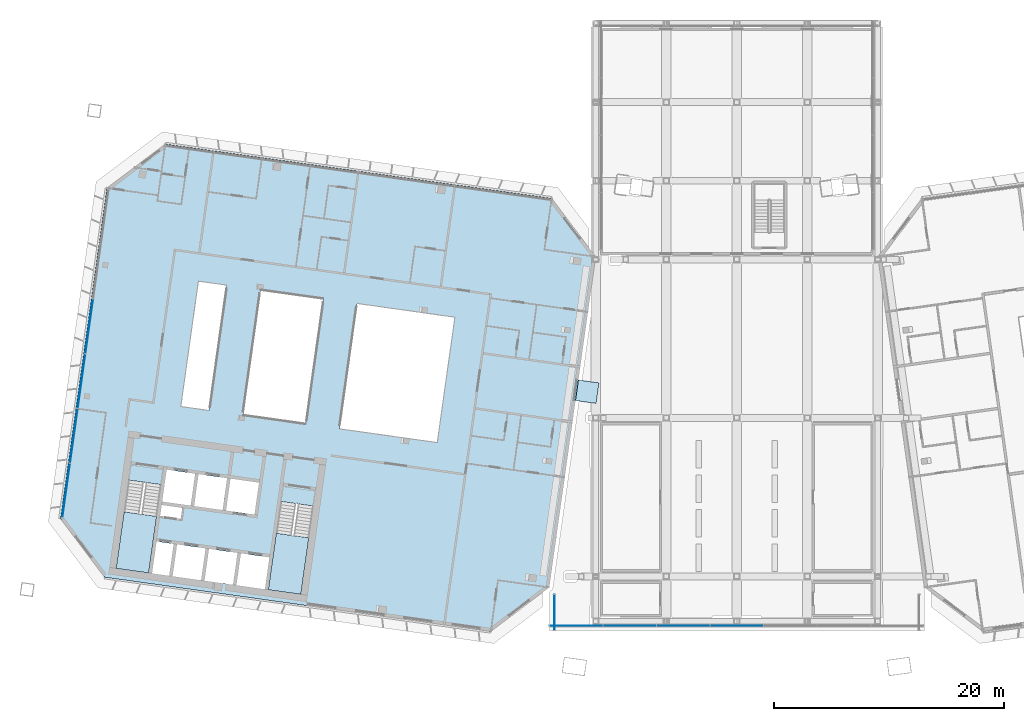
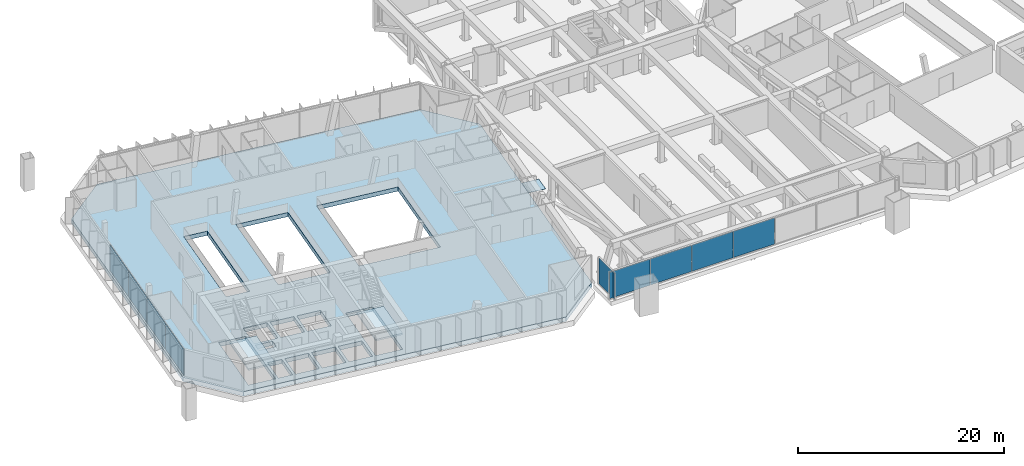
# One storey, part 13 of 25: 10 plates, 3 slabs, 5 elements without a shape of their own.
"""IFC4 building model written with IfcOpenShell, lengths in metres."""

import ifcopenshell
import ifcopenshell.guid

model = None  # the IFC model being written
_history = None  # IfcOwnerHistory: only IFC2X3 demands one
_inside = {}  # id of a spatial element -> (the spatial element, [elements in it])
_under = {}  # id of a project, library or spatial element -> (it, [spatial elements below it])
_declared = {}  # id of a project -> (the project, [libraries it declares])
_typed = {}  # id of a type object -> (the type object, [elements of that type])
_made_of = {}  # id of a material, layer set ... -> (it, [elements and type objects made of it])


def new_model(schema):
    """Start an empty IFC model of exactly this schema.

    Asked for "IFC4X3", IfcOpenShell would pick the latest addendum, in which some entities
    have other attributes; the version numbers below select the first issue.
    IFC2X3 requires an IfcOwnerHistory on every rooted entity: one is made here for all.
    """
    global model, _history
    if schema == "IFC4X3":
        model = ifcopenshell.file(schema_version=(4, 3, 0, 0))
    else:
        model = ifcopenshell.file(schema=schema)
    _inside.clear()
    _under.clear()
    _declared.clear()
    _typed.clear()
    _made_of.clear()
    _history = None
    if model.schema == "IFC2X3":
        org = make("IfcOrganization", Name="unknown")
        user = make(
            "IfcPersonAndOrganization",
            ThePerson=make("IfcPerson", FamilyName="unknown"),
            TheOrganization=org,
        )
        app = make(
            "IfcApplication",
            ApplicationDeveloper=org,
            Version="unknown",
            ApplicationFullName="unknown",
            ApplicationIdentifier="unknown",
        )
        _history = make(
            "IfcOwnerHistory",
            OwningUser=user,
            OwningApplication=app,
            ChangeAction="ADDED",
            CreationDate=0,
        )
    return model


def make(cls, **values):
    """One entity of the class cls with the attributes given. An attribute that is None is left unset."""
    return model.create_entity(
        cls, **{name: value for name, value in values.items() if value is not None}
    )


def rooted(cls, **values):
    """An entity with a GlobalId (a new one), such as an element, a storey or a relation."""
    return make(cls, GlobalId=ifcopenshell.guid.new(), OwnerHistory=_history, **values)


def si_unit(unit_type, name, prefix=None):
    """IfcSIUnit, for example si_unit("LENGTHUNIT", "METRE", prefix="MILLI")."""
    return make("IfcSIUnit", UnitType=unit_type, Prefix=prefix, Name=name)


def assignment(units):
    """IfcUnitAssignment: the units of a project."""
    return None if units is None else make("IfcUnitAssignment", Units=units)


def point(xyz):
    """IfcCartesianPoint."""
    return None if xyz is None else make("IfcCartesianPoint", Coordinates=xyz)


def direction(xyz):
    """IfcDirection."""
    return None if xyz is None else make("IfcDirection", DirectionRatios=xyz)


def frame(location, z_axis=None, x_axis=None):
    """IfcAxis2Placement3D, a coordinate frame: its origin and axes. An axis left out is left unset."""
    return make(
        "IfcAxis2Placement3D",
        Location=point(location),
        Axis=direction(z_axis),
        RefDirection=direction(x_axis),
    )


def frame_2d(location, x_axis=None):
    """IfcAxis2Placement2D, a coordinate frame in the plane: its origin and x axis."""
    return make(
        "IfcAxis2Placement2D", Location=point(location), RefDirection=direction(x_axis)
    )


def origin():
    """The frame at (0, 0, 0) with its axes left unset."""
    return frame((0.0, 0.0, 0.0))


def origin_2d():
    """The frame at (0, 0) in the plane with its x axis left unset."""
    return frame_2d((0.0, 0.0))


def place(relative_to, where):
    """IfcLocalPlacement: puts the frame where relative to a parent placement (None: the world)."""
    return make(
        "IfcLocalPlacement", PlacementRelTo=relative_to, RelativePlacement=where
    )


def context(
    kind, dimensions, precision=None, world=None, true_north=None, identifier=None
):
    """IfcGeometricRepresentationContext, for example the 3D "Model" context."""
    return make(
        "IfcGeometricRepresentationContext",
        ContextIdentifier=identifier,
        ContextType=kind,
        CoordinateSpaceDimension=dimensions,
        Precision=precision,
        WorldCoordinateSystem=world,
        TrueNorth=true_north,
    )


def subcontext(parent, identifier, kind, view, scale=None):
    """IfcGeometricRepresentationSubContext, for example "Body" below "Model"."""
    return make(
        "IfcGeometricRepresentationSubContext",
        ContextIdentifier=identifier,
        ContextType=kind,
        ParentContext=parent,
        TargetScale=scale,
        TargetView=view,
    )


def project(units=None, contexts=None):
    """IfcProject with its units and contexts."""
    return rooted(
        "IfcProject",
        Name="project",
        RepresentationContexts=contexts,
        UnitsInContext=assignment(units),
    )


def spatial(cls, under=None, at=None, **own):
    """A site, building, storey or space (cls), placed at a placement, below another one or the project."""
    s = rooted(cls, ObjectPlacement=at, **own)
    if under is not None:
        _under.setdefault(under.id(), (under, []))[1].append(s)
    return s


def polyline(points):
    """IfcPolyline through the points."""
    return make("IfcPolyline", Points=[point(p) for p in points])


def profile(cls, at=None, kind="AREA", **sizes):
    """A parametric profile (cls). Its sizes go by their IFC names, for example OverallWidth=200.0."""
    return make(cls, ProfileType=kind, Position=at, **sizes)


def rectangle(**sizes):
    """IfcRectangleProfileDef."""
    return profile("IfcRectangleProfileDef", **sizes)


def outline(outer, holes=None, kind="AREA"):
    """IfcArbitraryClosedProfileDef: a profile drawn as a closed curve; with holes, ...WithVoids."""
    if holes is None:
        return make("IfcArbitraryClosedProfileDef", ProfileType=kind, OuterCurve=outer)
    return make(
        "IfcArbitraryProfileDefWithVoids",
        ProfileType=kind,
        OuterCurve=outer,
        InnerCurves=holes,
    )


def extrude(swept, where, along, depth):
    """IfcExtrudedAreaSolid: the profile swept, set in the frame where, extruded along a direction by depth."""
    return make(
        "IfcExtrudedAreaSolid",
        SweptArea=swept,
        Position=where,
        ExtrudedDirection=direction(along),
        Depth=depth,
    )


def shape(context_of_items, identifier, shape_type, items):
    """IfcShapeRepresentation: the items that make up one representation, for example the "Body"."""
    return make(
        "IfcShapeRepresentation",
        ContextOfItems=context_of_items,
        RepresentationIdentifier=identifier,
        RepresentationType=shape_type,
        Items=items,
    )


def material(Name=None, Category=None):
    """IfcMaterial."""
    return make("IfcMaterial", Name=Name, Category=Category)


def layer(
    of_material, thickness, ventilated=None, Name=None, Category=None, Priority=None
):
    """IfcMaterialLayer: one layer of a wall or slab, of a material (None: an air gap)."""
    return make(
        "IfcMaterialLayer",
        Material=of_material,
        LayerThickness=thickness,
        IsVentilated=ventilated,
        Name=Name,
        Category=Category,
        Priority=Priority,
    )


def layer_set(layers, Name=None):
    """IfcMaterialLayerSet."""
    return make("IfcMaterialLayerSet", MaterialLayers=layers, LayerSetName=Name)


def made_of(thing, what):
    """Note that an element or type object is made of a material, layer set ...; save() writes the relation."""
    if what is not None:
        _made_of.setdefault(what.id(), (what, []))[1].append(thing)
    return thing


def type_object(cls, material=None, **own):
    """A type object (cls), such as IfcWallType, which elements share."""
    return made_of(rooted(cls, **own), material)


def element(
    cls,
    number,
    at=None,
    inside=None,
    cuts=None,
    type_object=None,
    material=None,
    context=None,
    identifier="Body",
    shape_type=None,
    held_by="IfcProductDefinitionShape",
    body=None,
    shapes=None,
    **own,
):
    """One element of the class cls, such as IfcWall. Its Tag is "e" and its number.

    at: its placement. inside: the storey or other place that contains it. cuts: it is an
    opening in that element (IfcRelVoidsElement). A single representation is given by context,
    identifier, shape_type and body (its items); several are given by shapes. held_by: the class
    of the entity that holds the representations. save() writes the other relations.
    """
    e = rooted(cls, Tag="e%d" % number, ObjectPlacement=at, **own)
    if body is not None:
        shapes = [shape(context, identifier, shape_type, body)]
    if shapes is not None:
        e.Representation = make(held_by, Representations=shapes)
    if inside is not None:
        _inside.setdefault(inside.id(), (inside, []))[1].append(e)
    if cuts is not None:
        rooted(
            "IfcRelVoidsElement", RelatingBuildingElement=cuts, RelatedOpeningElement=e
        )
    if type_object is not None:
        _typed.setdefault(type_object.id(), (type_object, []))[1].append(e)
    return made_of(e, material)


def aggregate(whole, parts):
    """IfcRelAggregates: a whole, such as a stair, and the parts it consists of."""
    return rooted("IfcRelAggregates", RelatingObject=whole, RelatedObjects=parts)


def save(model, path):
    """Write the relations noted so far, then the file.

    IfcRelAggregates (storeys below a building ...), IfcRelContainedInSpatialStructure (elements
    in a storey), IfcRelDefinesByType, IfcRelAssociatesMaterial and IfcRelDeclares: one each for
    every whole, place, type object, material and project.
    """
    for whole, parts in _under.values():
        aggregate(whole, parts)
    for where, things in _inside.values():
        rooted(
            "IfcRelContainedInSpatialStructure",
            RelatedElements=things,
            RelatingStructure=where,
        )
    for kind, things in _typed.values():
        rooted("IfcRelDefinesByType", RelatedObjects=things, RelatingType=kind)
    for what, things in _made_of.values():
        rooted("IfcRelAssociatesMaterial", RelatedObjects=things, RelatingMaterial=what)
    for by, libraries in _declared.values():
        rooted("IfcRelDeclares", RelatingContext=by, RelatedDefinitions=libraries)
    model.write(path)


model = new_model("IFC4")

# Units and contexts
model_context = context("Model", 3, precision=1e-05, world=origin(), true_north=direction((0.0, 1.0)))
body_context = subcontext(model_context, "Body", "Model", "MODEL_VIEW")
ifc_project = project(units=[si_unit("LENGTHUNIT", "METRE"), si_unit("AREAUNIT", "SQUARE_METRE"), si_unit("VOLUMEUNIT", "CUBIC_METRE"), si_unit("PLANEANGLEUNIT", "RADIAN"), si_unit("MASSUNIT", "GRAM", prefix="KILO")], contexts=[model_context])

# Site, building, storey
site_placement = place(None, origin())
site = spatial("IfcSite", under=ifc_project, at=site_placement, CompositionType="ELEMENT")
building_placement = place(site_placement, origin())
building = spatial("IfcBuilding", under=site, at=building_placement, Name="Mirante Cascada Hotel Towers", CompositionType="ELEMENT")
storey_placement = place(building_placement, frame((0.0, 0.0, 266.0)))
storey = spatial("IfcBuildingStorey", under=building, at=storey_placement, Name="L64", CompositionType="ELEMENT", Elevation=266.0)

# Curtain wall, plates
ifc_material_1 = material(Name="Aluminium mullion and transom frame with clear laminated glass", Category="aluminium")
curtain_wall_type_1 = type_object("IfcCurtainWallType", Name="End ribbon curtain wall ECW2", PredefinedType="NOTDEFINED", material=ifc_material_1)
curtain_wall_1_placement = place(storey_placement, origin())
curtain_wall_1 = element("IfcCurtainWall", 1, at=curtain_wall_1_placement, inside=storey, type_object=curtain_wall_type_1, Name="Outer end wall T1 L64", PredefinedType="NOTDEFINED")
ifc_material_2 = material(Name="Clear laminated glass", Category="glass")
ifc_layer_1 = layer(ifc_material_2, 0.034)
ifc_layer_set_1 = layer_set([ifc_layer_1], Name="ECW2 glass panel 34")
plate_type_1 = type_object("IfcPlateType", Name="ECW2 glass panel 34", PredefinedType="CURTAIN_PANEL", material=ifc_layer_set_1)
plate_1_placement = place(storey_placement, frame((-58.2609, -10.1616, 0.1), z_axis=(0.0, 0.0, 1.0), x_axis=(0.1391731, 0.9902681, 0.0)))
plate_1 = element("IfcPlate", 2, at=plate_1_placement, type_object=plate_type_1, Name="ECW2 panel 1", PredefinedType="CURTAIN_PANEL", context=body_context, shape_type="SweptSolid", body=[
    extrude(rectangle(XDim=4.7151, YDim=0.034, at=origin_2d()), origin(), (0.0, 0.0, 1.0), 3.1),
])
plate_2_placement = place(storey_placement, frame((-57.5934, -5.4119, 0.1), z_axis=(0.0, 0.0, 1.0), x_axis=(0.1391731, 0.9902681, 0.0)))
plate_2 = element("IfcPlate", 3, at=plate_2_placement, type_object=plate_type_1, Name="ECW2 panel 2", PredefinedType="CURTAIN_PANEL", context=body_context, shape_type="SweptSolid", body=[
    extrude(rectangle(XDim=4.7476, YDim=0.034, at=origin_2d()), origin(), (0.0, 0.0, 1.0), 3.1),
])
plate_3_placement = place(storey_placement, frame((-56.9236, -0.6461, 0.1), z_axis=(0.0, 0.0, 1.0), x_axis=(0.1391731, 0.9902681, 0.0)))
plate_3 = element("IfcPlate", 4, at=plate_3_placement, type_object=plate_type_1, Name="ECW2 panel 3", PredefinedType="CURTAIN_PANEL", context=body_context, shape_type="SweptSolid", body=[
    extrude(rectangle(XDim=4.7476, YDim=0.034, at=origin_2d()), origin(), (0.0, 0.0, 1.0), 3.1),
])
plate_4_placement = place(storey_placement, frame((-56.2538, 4.1197, 0.1), z_axis=(0.0, 0.0, 1.0), x_axis=(0.1391731, 0.9902681, 0.0)))
plate_4 = element("IfcPlate", 5, at=plate_4_placement, type_object=plate_type_1, Name="ECW2 panel 4", PredefinedType="CURTAIN_PANEL", context=body_context, shape_type="SweptSolid", body=[
    extrude(rectangle(XDim=4.7476, YDim=0.034, at=origin_2d()), origin(), (0.0, 0.0, 1.0), 3.1),
])
aggregate(curtain_wall_1, [plate_1, plate_2, plate_3, plate_4])

# Curtain wall, plate
ifc_material_3 = material(Name="Aluminium mullion and transom frame with clear laminated glass", Category="aluminium")
curtain_wall_type_2 = type_object("IfcCurtainWallType", Name="Sky park deck curtain wall ECW5", PredefinedType="NOTDEFINED", material=ifc_material_3)
curtain_wall_2_placement = place(storey_placement, origin())
curtain_wall_2 = element("IfcCurtainWall", 6, at=curtain_wall_2_placement, inside=storey, type_object=curtain_wall_type_2, Name="Sky park glazing L64 run 6", PredefinedType="NOTDEFINED")
ifc_material_4 = material(Name="Clear laminated glass", Category="glass")
ifc_layer_2 = layer(ifc_material_4, 0.032)
ifc_layer_set_2 = layer_set([ifc_layer_2], Name="ECW5 glass panel 32")
plate_type_2 = type_object("IfcPlateType", Name="ECW5 glass panel 32", PredefinedType="CURTAIN_PANEL", material=ifc_layer_set_2)
plate_5_placement = place(storey_placement, frame((-15.8374, -20.7608, 0.09), z_axis=(0.0, 0.0, 1.0), x_axis=(0.0, -1.0, 0.0)))
plate_5 = element("IfcPlate", 7, at=plate_5_placement, type_object=plate_type_2, Name="ECW5 panel 1", PredefinedType="CURTAIN_PANEL", context=body_context, shape_type="SweptSolid", body=[
    extrude(rectangle(XDim=3.0622, YDim=0.032, at=origin_2d()), origin(), (0.0, 0.0, 1.0), 3.12),
])
aggregate(curtain_wall_2, [plate_5])

# Curtain wall, plates
curtain_wall_3_placement = place(storey_placement, origin())
curtain_wall_3 = element("IfcCurtainWall", 8, at=curtain_wall_3_placement, inside=storey, type_object=curtain_wall_type_2, Name="Sky park glazing L64 run 1", PredefinedType="NOTDEFINED")
ifc_material_5 = material(Name="Insulated aluminium spandrel panel", Category="aluminium")
ifc_layer_3 = layer(ifc_material_5, 0.032)
ifc_layer_set_3 = layer_set([ifc_layer_3], Name="ECW5 spandrel panel 32")
plate_type_3 = type_object("IfcPlateType", Name="ECW5 spandrel panel 32", PredefinedType="CURTAIN_PANEL", material=ifc_layer_set_3)
plate_6_placement = place(storey_placement, frame((-13.9456, -21.9019, 0.09), z_axis=(0.0, 0.0, 1.0), x_axis=(1.0, 0.0, 0.0)))
plate_6 = element("IfcPlate", 9, at=plate_6_placement, type_object=plate_type_3, Name="ECW5 panel 1", PredefinedType="CURTAIN_PANEL", context=body_context, shape_type="SweptSolid", body=[
    extrude(rectangle(XDim=4.5635, YDim=0.032, at=origin_2d()), origin(), (0.0, 0.0, 1.0), 3.12),
])
plate_7_placement = place(storey_placement, frame((-9.3071, -21.9019, 0.09), z_axis=(0.0, 0.0, 1.0), x_axis=(1.0, 0.0, 0.0)))
plate_7 = element("IfcPlate", 10, at=plate_7_placement, type_object=plate_type_3, Name="ECW5 panel 2", PredefinedType="CURTAIN_PANEL", context=body_context, shape_type="SweptSolid", body=[
    extrude(rectangle(XDim=4.5935, YDim=0.032, at=origin_2d()), origin(), (0.0, 0.0, 1.0), 3.12),
])
plate_8_placement = place(storey_placement, frame((-4.6535, -21.9019, 0.09), z_axis=(0.0, 0.0, 1.0), x_axis=(1.0, 0.0, 0.0)))
plate_8 = element("IfcPlate", 11, at=plate_8_placement, type_object=plate_type_3, Name="ECW5 panel 3", PredefinedType="CURTAIN_PANEL", context=body_context, shape_type="SweptSolid", body=[
    extrude(rectangle(XDim=4.5935, YDim=0.032, at=origin_2d()), origin(), (0.0, 0.0, 1.0), 3.12),
])
plate_9_placement = place(storey_placement, frame((0.0, -21.9019, 0.09), z_axis=(0.0, 0.0, 1.0), x_axis=(1.0, 0.0, 0.0)))
plate_9 = element("IfcPlate", 12, at=plate_9_placement, type_object=plate_type_3, Name="ECW5 panel 4", PredefinedType="CURTAIN_PANEL", context=body_context, shape_type="SweptSolid", body=[
    extrude(rectangle(XDim=4.5935, YDim=0.032, at=origin_2d()), origin(), (0.0, 0.0, 1.0), 3.12),
])
aggregate(curtain_wall_3, [plate_6, plate_7, plate_8, plate_9])

# Stair, slab
ifc_material_6 = material(Name="Concrete C35/45", Category="concrete")
stair_type = type_object("IfcStairType", Name="Exit stair half-turn 1350 concrete C35/45", PredefinedType="HALF_TURN_STAIR", material=ifc_material_6)
stair_1_placement = place(storey_placement, origin())
stair_1 = element("IfcStair", 13, at=stair_1_placement, inside=storey, type_object=stair_type, Name="L64 Exit stair A", PredefinedType="HALF_TURN_STAIR")
ifc_material_7 = material(Name="Concrete C35/45", Category="concrete")
ifc_layer_4 = layer(ifc_material_7, 0.2)
ifc_layer_set_4 = layer_set([ifc_layer_4], Name="Exit stair landing 200 concrete C35/45")
slab_type_1 = type_object("IfcSlabType", Name="Exit stair landing 200 concrete C35/45", PredefinedType="LANDING", material=ifc_layer_set_4)
slab_1_placement = place(storey_placement, frame((0.0, 0.0, 1.7)))
slab_1 = element("IfcSlab", 14, at=slab_1_placement, type_object=slab_type_1, Name="ST1-A landing 1", PredefinedType="LANDING", context=body_context, shape_type="SweptSolid", body=[
    extrude(outline(polyline([(-39.9987, -13.8659), (-40.6887, -18.7757), (-37.8665, -19.1723), (-37.1765, -14.2626), (-39.9987, -13.8659)])), origin(), (0.0, 0.0, 1.0), 0.2),
])
aggregate(stair_1, [slab_1])

stair_2_placement = place(storey_placement, origin())
stair_2 = element("IfcStair", 15, at=stair_2_placement, inside=storey, type_object=stair_type, Name="L64 Exit stair B", PredefinedType="HALF_TURN_STAIR")
slab_2_placement = place(storey_placement, frame((0.0, 0.0, 1.7)))
slab_2 = element("IfcSlab", 16, at=slab_2_placement, type_object=slab_type_1, Name="ST1-B landing 1", PredefinedType="LANDING", context=body_context, shape_type="SweptSolid", body=[
    extrude(outline(polyline([(-53.2188, -12.008), (-53.9088, -16.9177), (-51.0866, -17.3144), (-50.3965, -12.4046), (-53.2188, -12.008)])), origin(), (0.0, 0.0, 1.0), 0.2),
])
aggregate(stair_2, [slab_2])

# Plate
ifc_material_8 = material(Name="Stainless steel AISI 316", Category="steel")
ifc_layer_5 = layer(ifc_material_8, 0.015)
ifc_layer_set_5 = layer_set([ifc_layer_5], Name="Joint cover plate 15 stainless")
plate_type_4 = type_object("IfcPlateType", Name="Joint cover plate 15 stainless", PredefinedType="SHEET", material=ifc_layer_set_5)
plate_10_placement = place(storey_placement, frame((-12.9898, -1.5753, 0.0), z_axis=(0.0, 0.0, 1.0), x_axis=(0.9902681, -0.1391731, 0.0)))
element("IfcPlate", 17, at=plate_10_placement, inside=storey, type_object=plate_type_4, Name="Movement joint cover plate D1-64-91", PredefinedType="SHEET", context=body_context, shape_type="SweptSolid", body=[
    extrude(rectangle(XDim=1.8, YDim=1.8, at=origin_2d()), origin(), (0.0, 0.0, 1.0), 0.015),
])

# Slab
ifc_material_9 = material(Name="Concrete C40/50", Category="concrete")
ifc_layer_6 = layer(ifc_material_9, 0.5)
ifc_layer_set_6 = layer_set([ifc_layer_6], Name="Post-tensioned flat plate 500 Concrete C40/50")
slab_type_2 = type_object("IfcSlabType", Name="Post-tensioned flat plate 500 Concrete C40/50", PredefinedType="FLOOR", material=ifc_layer_set_6)
slab_3_placement = place(storey_placement, frame((0.0, 0.0, -0.5)))
element("IfcSlab", 18, at=slab_3_placement, inside=storey, type_object=slab_type_2, Name="Floor T1 L64", PredefinedType="FLOOR", context=body_context, shape_type="SweptSolid", body=[
    extrude(outline(polyline([(-16.2874, -18.5697), (-12.2514, 10.1481), (-16.0813, 15.2306), (-49.6367, 19.9465), (-54.7192, 16.1166), (-58.7552, -12.6012), (-54.9253, -17.6837), (-21.3699, -22.3996), (-16.2874, -18.5697)]), holes=[polyline([(-40.5961, -15.9612), (-40.9858, -18.7339), (-43.4615, -18.386), (-43.0718, -15.6132), (-40.5961, -15.9612)]), polyline([(-43.3689, -15.5715), (-43.7586, -18.3442), (-46.2342, -17.9963), (-45.8446, -15.2236), (-43.3689, -15.5715)]), polyline([(-37.8665, -19.1723), (-40.6887, -18.7757), (-39.611, -11.107), (-36.7887, -11.5037), (-37.8665, -19.1723)]), polyline([(-43.9775, -9.124), (-41.5018, -9.472), (-41.8915, -12.2447), (-44.3672, -11.8968), (-43.9775, -9.124)]), polyline([(-46.7503, -8.7344), (-44.2746, -9.0823), (-44.6643, -11.855), (-47.1399, -11.5071), (-46.7503, -8.7344)]), polyline([(-26.017, -5.9932), (-34.4901, -4.8024), (-32.9592, 6.0906), (-24.4861, 4.8998), (-26.017, -5.9932)]), polyline([(-42.879, -3.6234), (-42.879, -3.6234), (-41.3481, 7.2696), (-35.932, 6.5084), (-37.4629, -4.3846), (-37.4629, -4.3846), (-42.879, -3.6234)]), polyline([(-48.298, -2.8618), (-46.7671, 8.0312), (-44.3208, 7.6874), (-45.8518, -3.2056), (-45.8518, -3.2056), (-48.298, -2.8618)]), polyline([(-48.6173, -14.8339), (-46.1416, -15.1818), (-46.5313, -17.9546), (-49.007, -17.6066), (-48.6173, -14.8339)]), polyline([(-50.3998, -14.5834), (-48.9144, -14.7921), (-49.3041, -17.5649), (-50.7895, -17.3561), (-50.3998, -14.5834)]), polyline([(-51.0866, -17.3144), (-53.9088, -16.9177), (-52.8311, -9.2491), (-50.0088, -9.6457), (-51.0866, -17.3144)]), polyline([(-49.9544, -11.4145), (-48.1472, -11.6685), (-48.2829, -12.634), (-50.0901, -12.38), (-49.9544, -11.4145)]), polyline([(-49.523, -8.3447), (-47.0473, -8.6926), (-47.437, -11.4654), (-49.9127, -11.1174), (-49.523, -8.3447)])]), origin(), (0.0, 0.0, 1.0), 0.5),
])

save(model, "model.ifc")
